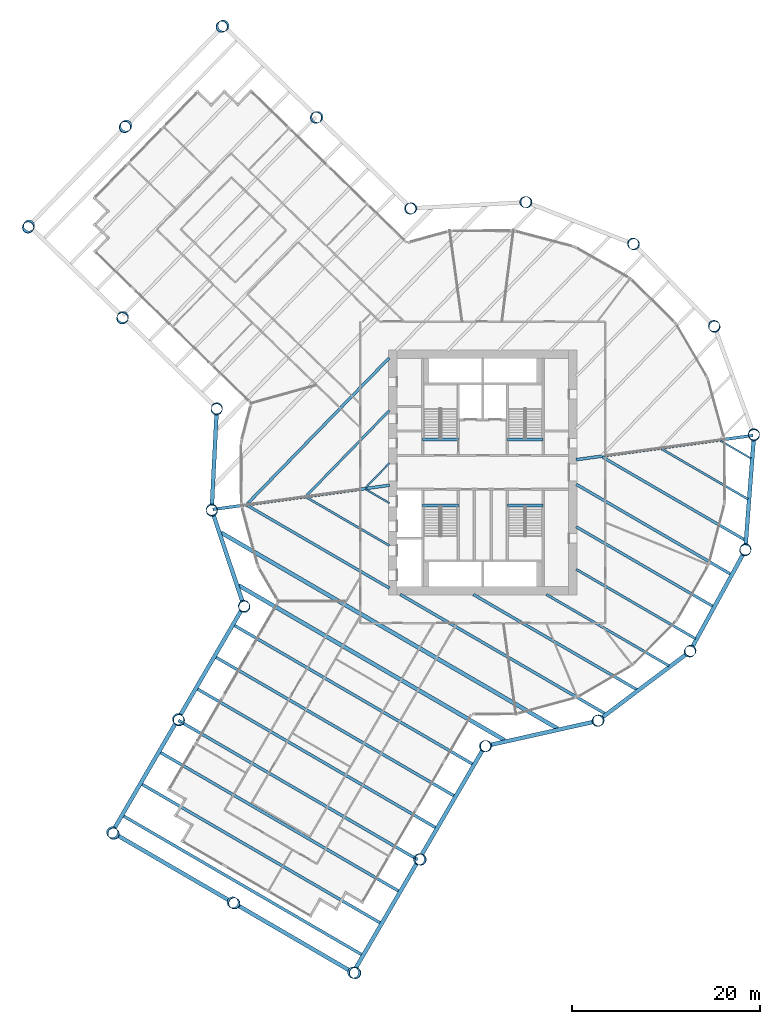
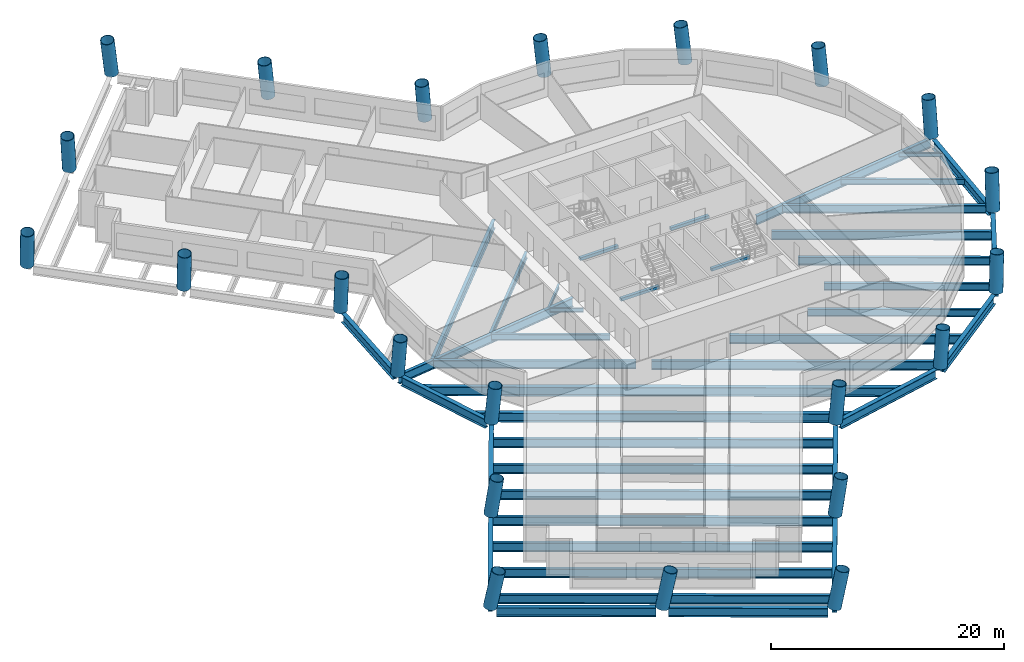
# One storey, part 1 of 12: 42 beams, 22 columns.
"""IFC4 building model written with IfcOpenShell, lengths in metres."""

from ifc_helpers import new_model, si_unit, direction, frame, origin, origin_2d, place, context, subcontext, project, spatial, rectangle, hollow_circle, i_section, extrude, material, material_profile, profile_set, type_object, element, save


model = new_model("IFC4")

# Units and contexts
model_context = context("Model", 3, precision=1e-05, world=origin(), true_north=direction((0.0, 1.0)))
body_context = subcontext(model_context, "Body", "Model", "MODEL_VIEW")
ifc_project = project(units=[si_unit("LENGTHUNIT", "METRE"), si_unit("AREAUNIT", "SQUARE_METRE"), si_unit("VOLUMEUNIT", "CUBIC_METRE"), si_unit("PLANEANGLEUNIT", "RADIAN"), si_unit("MASSUNIT", "GRAM", prefix="KILO")], contexts=[model_context])

# Site, building, storey
site_placement = place(None, origin())
site = spatial("IfcSite", under=ifc_project, at=site_placement, CompositionType="ELEMENT")
building_placement = place(site_placement, origin())
building = spatial("IfcBuilding", under=site, at=building_placement, Name="Tarsis Ring Headquarters", CompositionType="ELEMENT")
storey_placement = place(building_placement, frame((0.0, 0.0, 82.89990234375)))
storey = spatial("IfcBuildingStorey", under=building, at=storey_placement, Name="L18", CompositionType="ELEMENT", Elevation=82.89990234375)

# Columns
ifc_material_1 = material(Name="Structural steel S460", Category="steel")
ifc_material_profile_1 = material_profile(ifc_material_1, hollow_circle(Radius=0.609619140625, WallThickness=0.050048828125, at=origin_2d()), Name="CHS 1219x50")
ifc_profile_set_1 = profile_set([ifc_material_profile_1], Name="Structural steel S460")
column_type = type_object("IfcColumnType", Name="XC Exo column CHS 1219x50", PredefinedType="COLUMN", material=ifc_profile_set_1)
for number, where, z_axis, x_axis, name in (
    (1, (-28.779541015625, -3.943359375, 0.01025390625), (0.014356111525, -0.099865876242, 0.994897335821), (0.98982483966, 0.142291204195, 0.0), "Exo column XC1 F1"),
    (2, (-25.364013671875, -14.1591796875, 0.01025390625), (0.04977617817, -0.087766561004, 0.994896659385), (0.869844460775, 0.493326072754, 0.0), "Exo column XC1 AK"),
):
    element("IfcColumn", number, at=place(storey_placement, frame(where, z_axis=z_axis, x_axis=x_axis)), inside=storey, type_object=column_type, Name=name, PredefinedType="COLUMN", context=body_context, shape_type="SweptSolid", body=[
        extrude(hollow_circle(Radius=0.609619140625, WallThickness=0.050048828125, at=origin_2d()), origin(), (0.0, 0.0, 1.0), 3.894287109375),
    ])
column_1_placement = place(storey_placement, frame((-32.356201171875, -26.17529296875, 0.014404296875), z_axis=(0.091158365795, -0.111165688878, 0.989612217973), x_axis=(0.773259260858, 0.634089990062, 0.0)))
element("IfcColumn", 3, at=column_1_placement, inside=storey, type_object=column_type, Name="Exo column XC1 AI1", PredefinedType="COLUMN", context=body_context, shape_type="SweptSolid", body=[
    extrude(hollow_circle(Radius=0.609619140625, WallThickness=0.050048828125, at=origin_2d()), origin(), (0.0, 0.0, 1.0), 3.90478515625),
])
column_2_placement = place(storey_placement, frame((-39.34814453125, -38.19140625, 0.0185546875), z_axis=(0.131847539829, -0.134025295324, 0.98216772827), x_axis=(0.712874755496, 0.701291368104, 0.0)))
element("IfcColumn", 4, at=column_2_placement, inside=storey, type_object=column_type, Name="Exo column XC1 AT1", PredefinedType="COLUMN", context=body_context, shape_type="SweptSolid", body=[
    extrude(hollow_circle(Radius=0.609619140625, WallThickness=0.050048828125, at=origin_2d()), origin(), (0.0, 0.0, 1.0), 3.923828125),
])
column_3_placement = place(storey_placement, frame((-26.556640625, -45.63525390625, 0.017822265625), z_axis=(0.157243308821, -0.090111314006, 0.983440131843), x_axis=(0.497211697176, 0.867629257339, 0.0)))
element("IfcColumn", 5, at=column_3_placement, inside=storey, type_object=column_type, Name="Exo column XC1 AT2", PredefinedType="COLUMN", context=body_context, shape_type="SweptSolid", body=[
    extrude(hollow_circle(Radius=0.609619140625, WallThickness=0.050048828125, at=origin_2d()), origin(), (0.0, 0.0, 1.0), 3.92041015625),
])
column_4_placement = place(storey_placement, frame((-13.764892578125, -53.079345703125, 0.0185546875), z_axis=(0.182309363247, -0.045919559753, 0.982168361384), x_axis=(0.244248451366, 0.969712686318, 0.0)))
element("IfcColumn", 6, at=column_4_placement, inside=storey, type_object=column_type, Name="Exo column XC1 AT3", PredefinedType="COLUMN", context=body_context, shape_type="SweptSolid", body=[
    extrude(hollow_circle(Radius=0.609619140625, WallThickness=0.050048828125, at=origin_2d()), origin(), (0.0, 0.0, 1.0), 3.923828125),
])
column_5_placement = place(storey_placement, frame((-6.77294921875, -41.0634765625, 0.014404296875), z_axis=(0.141989871474, -0.022383255829, 0.989615009111), x_axis=(0.155716873144, 0.987801728799, 0.0)))
element("IfcColumn", 7, at=column_5_placement, inside=storey, type_object=column_type, Name="Exo column XC1 AO1", PredefinedType="COLUMN", context=body_context, shape_type="SweptSolid", body=[
    extrude(hollow_circle(Radius=0.609619140625, WallThickness=0.050048828125, at=origin_2d()), origin(), (0.0, 0.0, 1.0), 3.90478515625),
])
for number, where, z_axis, x_axis, name in (
    (8, (0.218994140625, -29.047607421875, 0.01025390625), (0.10086905812, 0.001441882124, 0.994898665237), (-0.014293132693, 0.999897847961, 0.0), "Exo column XC1 AJ"),
    (9, (12.1728515625, -26.375, 0.01025390625), (0.091277697686, 0.04288045688, 0.994901828485), (-0.425198201375, 0.905100264914, 0.0), "Exo column XC1 R1"),
    (10, (21.962158203125, -19.0126953125, 0.01025390625), (0.065511499002, 0.076733085912, 0.994897118814), (-0.760527083358, 0.649306210873, 0.0), "Exo column XC1 R2"),
    (11, (27.846435546875, -8.269775390625, 0.01025390625), (0.028085448919, 0.096857184329, 0.994901951653), (-0.960437452911, 0.278495779226, 0.0), "Exo column XC1 R3"),
    (12, (28.779541015625, 3.943359375, 0.01025390625), (-0.014356111525, 0.099865876242, 0.994897335821), (-0.98982483966, -0.142291204195, 0.0), "Exo column XC1 R4"),
    (13, (24.595703125, 15.45556640625, 0.01025390625), (-0.054290073076, 0.0850084747, 0.994900068949), (-0.842790242244, -0.538242145858, 0.0), "Exo column XC1 R5"),
    (14, (16.038330078125, 24.219482421875, 0.01025390625), (-0.084444531631, 0.055105228882, 0.994903279132), (-0.546495341029, -0.837462143761, 0.0), "Exo column XC1 R6"),
    (15, (4.629638671875, 28.67724609375, 0.01025390625), (-0.099740160794, 0.015421797332, 0.994893998621), (-0.152803962222, -0.988256519902, 0.0), "Exo column XC1 R7"),
    (16, (-7.6025390625, 28.035888671875, 0.01025390625), (-0.097170536417, -0.027019678191, 0.99490091157), (0.267900322214, -0.963446634411, 0.0), "Exo column XC1 BJ"),
):
    element("IfcColumn", number, at=place(storey_placement, frame(where, z_axis=z_axis, x_axis=x_axis)), inside=storey, type_object=column_type, Name=name, PredefinedType="COLUMN", context=body_context, shape_type="SweptSolid", body=[
        extrude(hollow_circle(Radius=0.609619140625, WallThickness=0.050048828125, at=origin_2d()), origin(), (0.0, 0.0, 1.0), 3.894287109375),
    ])
column_6_placement = place(storey_placement, frame((-17.570068359375, 37.7275390625, 0.014404296875), z_axis=(-0.129922234049, -0.061584889576, 0.98960977889), x_axis=(0.428329334858, -0.903622698309, 0.0)))
element("IfcColumn", 17, at=column_6_placement, inside=storey, type_object=column_type, Name="Exo column XC1 BO1", PredefinedType="COLUMN", context=body_context, shape_type="SweptSolid", body=[
    extrude(hollow_circle(Radius=0.609619140625, WallThickness=0.050048828125, at=origin_2d()), origin(), (0.0, 0.0, 1.0), 3.90478515625),
])
column_7_placement = place(storey_placement, frame((-27.537841796875, 47.418701171875, 0.0185546875), z_axis=(-0.161962173688, -0.095509772037, 0.982164007557), x_axis=(0.507959837639, -0.861380753991, 0.0)))
element("IfcColumn", 18, at=column_7_placement, inside=storey, type_object=column_type, Name="Exo column XC1 BT3", PredefinedType="COLUMN", context=body_context, shape_type="SweptSolid", body=[
    extrude(hollow_circle(Radius=0.609619140625, WallThickness=0.050048828125, at=origin_2d()), origin(), (0.0, 0.0, 1.0), 3.923828125),
])
column_8_placement = place(storey_placement, frame((-37.855224609375, 36.807861328125, 0.017822265625), z_axis=(-0.125483081703, -0.130776412693, 0.983438623448), x_axis=(0.721558955574, -0.692352997849, 0.0)))
element("IfcColumn", 19, at=column_8_placement, inside=storey, type_object=column_type, Name="Exo column XC1 BT2", PredefinedType="COLUMN", context=body_context, shape_type="SweptSolid", body=[
    extrude(hollow_circle(Radius=0.609619140625, WallThickness=0.050048828125, at=origin_2d()), origin(), (0.0, 0.0, 1.0), 3.92041015625),
])
column_9_placement = place(storey_placement, frame((-48.172607421875, 26.197021484375, 0.0185546875), z_axis=(-0.088666163818, -0.165759059938, 0.982172207631), x_axis=(0.88177503756, -0.471670205902, 0.0)))
element("IfcColumn", 20, at=column_9_placement, inside=storey, type_object=column_type, Name="Exo column XC1 BT1", PredefinedType="COLUMN", context=body_context, shape_type="SweptSolid", body=[
    extrude(hollow_circle(Radius=0.609619140625, WallThickness=0.050048828125, at=origin_2d()), origin(), (0.0, 0.0, 1.0), 3.923828125),
])
column_10_placement = place(storey_placement, frame((-38.205078125, 16.505859375, 0.014404296875), z_axis=(-0.056145900254, -0.132299248259, 0.989618384426), x_axis=(0.92053437827, -0.390661565069, 0.0)))
element("IfcColumn", 21, at=column_10_placement, inside=storey, type_object=column_type, Name="Exo column XC1 BI1", PredefinedType="COLUMN", context=body_context, shape_type="SweptSolid", body=[
    extrude(hollow_circle(Radius=0.609619140625, WallThickness=0.050048828125, at=origin_2d()), origin(), (0.0, 0.0, 1.0), 3.90478515625),
])
column_11_placement = place(storey_placement, frame((-28.23779296875, 6.814697265625, 0.01025390625), z_axis=(-0.023007388728, -0.098235907728, 0.99489716378), x_axis=(0.973652966326, -0.22803486831, 0.0)))
element("IfcColumn", 22, at=column_11_placement, inside=storey, type_object=column_type, Name="Exo column XC1 BK", PredefinedType="COLUMN", context=body_context, shape_type="SweptSolid", body=[
    extrude(hollow_circle(Radius=0.609619140625, WallThickness=0.050048828125, at=origin_2d()), origin(), (0.0, 0.0, 1.0), 3.894287109375),
])

# Beams
ifc_material_2 = material(Name="Structural steel S355", Category="steel")
ifc_material_profile_2 = material_profile(ifc_material_2, i_section(OverallWidth=0.177734375, OverallDepth=0.406494140625, WebThickness=0.0078125, FlangeThickness=0.0126953125, at=origin_2d()), Name="W16x40")
ifc_profile_set_2 = profile_set([ifc_material_profile_2], Name="Structural steel S355")
beam_type_1 = type_object("IfcBeamType", Name="FB Floor beam W16x40", PredefinedType="JOIST", material=ifc_profile_set_2)
beam_1_placement = place(storey_placement, frame((25.2353515625, 3.362548828125, -0.363037109375), z_axis=(0.864268392971, -0.503030958204, 0.0), x_axis=(0.503030958204, 0.864268392971, 0.0)))
element("IfcBeam", 23, at=beam_1_placement, inside=storey, type_object=beam_type_1, Name="Floor beam FB1", PredefinedType="JOIST", context=body_context, shape_type="SweptSolid", body=[
    extrude(i_section(OverallWidth=0.177734375, OverallDepth=0.406494140625, WebThickness=0.0078125, FlangeThickness=0.0126953125, at=origin_2d()), origin(), (0.0, 0.0, 1.0), 3.741455078125),
])
beam_2_placement = place(storey_placement, frame((-12.4208984375, -1.795654296875, -0.363037109375), z_axis=(0.864248559498, -0.503065032978, 0.0), x_axis=(0.503065032978, 0.864248559498, 0.0)))
element("IfcBeam", 24, at=beam_2_placement, inside=storey, type_object=beam_type_1, Name="Floor beam FB1", PredefinedType="JOIST", context=body_context, shape_type="SweptSolid", body=[
    extrude(i_section(OverallWidth=0.177734375, OverallDepth=0.406494140625, WebThickness=0.0078125, FlangeThickness=0.0126953125, at=origin_2d()), origin(), (0.0, 0.0, 1.0), 2.901123046875),
])
beam_3_placement = place(storey_placement, frame((-9.93017578125, 0.9765625, -0.363037109375), z_axis=(-0.697195274557, -0.716881265717, 0.0), x_axis=(0.716881265717, -0.697195274557, 0.0)))
element("IfcBeam", 25, at=beam_3_placement, inside=storey, type_object=beam_type_1, Name="Floor beam FB1", PredefinedType="JOIST", context=body_context, shape_type="SweptSolid", body=[
    extrude(i_section(OverallWidth=0.177734375, OverallDepth=0.406494140625, WebThickness=0.0078125, FlangeThickness=0.0126953125, at=origin_2d()), origin(), (0.0, 0.0, 1.0), 3.60888671875),
])
ifc_material_profile_3 = material_profile(ifc_material_2, i_section(OverallWidth=0.228271484375, OverallDepth=0.607177734375, WebThickness=0.01123046875, FlangeThickness=0.017333984375, at=origin_2d()), Name="W24x76")
ifc_profile_set_3 = profile_set([ifc_material_profile_3], Name="Structural steel S355")
beam_type_2 = type_object("IfcBeamType", Name="FB Floor beam W24x76", PredefinedType="JOIST", material=ifc_profile_set_3)
beam_4_placement = place(storey_placement, frame((18.959228515625, 2.5029296875, -0.46337890625), z_axis=(0.864272029594, -0.50302470999, 0.0), x_axis=(0.50302470999, 0.864272029594, 0.0)))
element("IfcBeam", 26, at=beam_4_placement, inside=storey, type_object=beam_type_2, Name="Floor beam FB4", PredefinedType="JOIST", context=body_context, shape_type="SweptSolid", body=[
    extrude(i_section(OverallWidth=0.228271484375, OverallDepth=0.607177734375, WebThickness=0.01123046875, FlangeThickness=0.017333984375, at=origin_2d()), origin(), (0.0, 0.0, 1.0), 10.621337890625),
])
beam_5_placement = place(storey_placement, frame((-18.697021484375, -2.655517578125, -0.46337890625), z_axis=(0.864275992736, -0.503017900656, 0.0), x_axis=(0.503017900656, 0.864275992736, 0.0)))
element("IfcBeam", 27, at=beam_5_placement, inside=storey, type_object=beam_type_2, Name="Floor beam FB4", PredefinedType="JOIST", context=body_context, shape_type="SweptSolid", body=[
    extrude(i_section(OverallWidth=0.228271484375, OverallDepth=0.607177734375, WebThickness=0.01123046875, FlangeThickness=0.017333984375, at=origin_2d()), origin(), (0.0, 0.0, 1.0), 10.162841796875),
])
ifc_material_profile_4 = material_profile(ifc_material_2, i_section(OverallWidth=0.2529296875, OverallDepth=0.67822265625, WebThickness=0.01171875, FlangeThickness=0.016357421875, at=origin_2d()), Name="W27x84")
ifc_profile_set_4 = profile_set([ifc_material_profile_4], Name="Structural steel S355")
beam_type_3 = type_object("IfcBeamType", Name="FB Floor beam W27x84", PredefinedType="JOIST", material=ifc_profile_set_4)
beam_6_placement = place(storey_placement, frame((-9.93017578125, 6.57080078125, -0.4990234375), z_axis=(-0.697164914931, -0.716910790399, 0.0), x_axis=(0.716910790399, -0.697164914931, 0.0)))
element("IfcBeam", 28, at=beam_6_placement, inside=storey, type_object=beam_type_3, Name="Floor beam FB5", PredefinedType="JOIST", context=body_context, shape_type="SweptSolid", body=[
    extrude(i_section(OverallWidth=0.2529296875, OverallDepth=0.67822265625, WebThickness=0.01171875, FlangeThickness=0.016357421875, at=origin_2d()), origin(), (0.0, 0.0, 1.0), 12.611328125),
])
ifc_material_profile_5 = material_profile(ifc_material_2, i_section(OverallWidth=0.2666015625, OverallDepth=0.7568359375, WebThickness=0.013916015625, FlangeThickness=0.019287109375, at=origin_2d()), Name="W30x108")
ifc_profile_set_5 = profile_set([ifc_material_profile_5], Name="Structural steel S355")
beam_type_4 = type_object("IfcBeamType", Name="FB Floor beam W30x108", PredefinedType="JOIST", material=ifc_profile_set_5)
beam_7_placement = place(storey_placement, frame((9.91357421875, -10.2822265625, -0.538330078125), z_axis=(0.864271564187, -0.503025509629, 0.0), x_axis=(0.503025509629, 0.864271564187, 0.0)))
element("IfcBeam", 29, at=beam_7_placement, inside=storey, type_object=beam_type_4, Name="Floor beam FB6", PredefinedType="JOIST", context=body_context, shape_type="SweptSolid", body=[
    extrude(i_section(OverallWidth=0.2666015625, OverallDepth=0.7568359375, WebThickness=0.013916015625, FlangeThickness=0.019287109375, at=origin_2d()), origin(), (0.0, 0.0, 1.0), 14.654052734375),
])
beam_8_placement = place(storey_placement, frame((6.743408203125, -12.94970703125, -0.538330078125), z_axis=(0.864274891633, -0.503019792546, 0.0), x_axis=(0.503019792546, 0.864274891633, 0.0)))
element("IfcBeam", 30, at=beam_8_placement, inside=storey, type_object=beam_type_4, Name="Floor beam FB6", PredefinedType="JOIST", context=body_context, shape_type="SweptSolid", body=[
    extrude(i_section(OverallWidth=0.2666015625, OverallDepth=0.7568359375, WebThickness=0.013916015625, FlangeThickness=0.019287109375, at=origin_2d()), origin(), (0.0, 0.0, 1.0), 15.05517578125),
])
ifc_material_profile_6 = material_profile(ifc_material_2, i_section(OverallWidth=0.2919921875, OverallDepth=0.835693359375, WebThickness=0.013916015625, FlangeThickness=0.018798828125, at=origin_2d()), Name="W33x118")
ifc_profile_set_6 = profile_set([ifc_material_profile_6], Name="Structural steel S355")
beam_type_5 = type_object("IfcBeamType", Name="FB Floor beam W33x118", PredefinedType="JOIST", material=ifc_profile_set_6)
beam_9_placement = place(storey_placement, frame((12.68310546875, 1.64306640625, -0.57763671875), z_axis=(0.864275342035, -0.503019018677, 0.0), x_axis=(0.503019018677, 0.864275342035, 0.0)))
element("IfcBeam", 31, at=beam_9_placement, inside=storey, type_object=beam_type_5, Name="Floor beam FB7", PredefinedType="JOIST", context=body_context, shape_type="SweptSolid", body=[
    extrude(i_section(OverallWidth=0.2919921875, OverallDepth=0.835693359375, WebThickness=0.013916015625, FlangeThickness=0.018798828125, at=origin_2d()), origin(), (0.0, 0.0, 1.0), 17.500732421875),
])
beam_10_placement = place(storey_placement, frame((9.91357421875, -5.769775390625, -0.57763671875), z_axis=(0.864272743091, -0.503023484094, 0.0), x_axis=(0.503023484094, 0.864272743091, 0.0)))
element("IfcBeam", 32, at=beam_10_placement, inside=storey, type_object=beam_type_5, Name="Floor beam FB7", PredefinedType="JOIST", context=body_context, shape_type="SweptSolid", body=[
    extrude(i_section(OverallWidth=0.2919921875, OverallDepth=0.835693359375, WebThickness=0.013916015625, FlangeThickness=0.018798828125, at=origin_2d()), origin(), (0.0, 0.0, 1.0), 16.822509765625),
])
beam_11_placement = place(storey_placement, frame((-24.97314453125, -3.51513671875, -0.57763671875), z_axis=(0.864274468746, -0.503020519137, 0.0), x_axis=(0.503020519137, 0.864274468746, 0.0)))
element("IfcBeam", 33, at=beam_11_placement, inside=storey, type_object=beam_type_5, Name="Floor beam FB7", PredefinedType="JOIST", context=body_context, shape_type="SweptSolid", body=[
    extrude(i_section(OverallWidth=0.2919921875, OverallDepth=0.835693359375, WebThickness=0.013916015625, FlangeThickness=0.018798828125, at=origin_2d()), origin(), (0.0, 0.0, 1.0), 17.424560546875),
])
ifc_material_profile_7 = material_profile(ifc_material_2, i_section(OverallWidth=0.3046875, OverallDepth=0.904296875, WebThickness=0.01513671875, FlangeThickness=0.02001953125, at=origin_2d()), Name="W36x135")
ifc_profile_set_7 = profile_set([ifc_material_profile_7], Name="Structural steel S355")
beam_type_6 = type_object("IfcBeamType", Name="FB Floor beam W36x135", PredefinedType="JOIST", material=ifc_profile_set_7)
beam_12_placement = place(storey_placement, frame((9.91357421875, -1.25732421875, -0.612060546875), z_axis=(0.864273652755, -0.503021921146, 0.0), x_axis=(0.503021921146, 0.864273652755, 0.0)))
element("IfcBeam", 34, at=beam_12_placement, inside=storey, type_object=beam_type_6, Name="Floor beam FB8", PredefinedType="JOIST", context=body_context, shape_type="SweptSolid", body=[
    extrude(i_section(OverallWidth=0.3046875, OverallDepth=0.904296875, WebThickness=0.01513671875, FlangeThickness=0.02001953125, at=origin_2d()), origin(), (0.0, 0.0, 1.0), 18.9912109375),
])
beam_13_placement = place(storey_placement, frame((-1.009765625, -12.94970703125, -0.612060546875), z_axis=(0.864275992149, -0.503017901664, 0.0), x_axis=(0.503017901664, 0.864275992149, 0.0)))
element("IfcBeam", 35, at=beam_13_placement, inside=storey, type_object=beam_type_6, Name="Floor beam FB8", PredefinedType="JOIST", context=body_context, shape_type="SweptSolid", body=[
    extrude(i_section(OverallWidth=0.3046875, OverallDepth=0.904296875, WebThickness=0.01513671875, FlangeThickness=0.02001953125, at=origin_2d()), origin(), (0.0, 0.0, 1.0), 20.112060546875),
])
ifc_material_profile_8 = material_profile(ifc_material_2, i_section(OverallWidth=0.3046875, OverallDepth=0.91943359375, WebThickness=0.017333984375, FlangeThickness=0.02783203125, at=origin_2d()), Name="W36x170")
ifc_profile_set_8 = profile_set([ifc_material_profile_8], Name="Structural steel S355")
beam_type_7 = type_object("IfcBeamType", Name="FB Floor beam W36x170", PredefinedType="JOIST", material=ifc_profile_set_8)
beam_14_placement = place(storey_placement, frame((-9.93017578125, 12.164794921875, -0.61962890625), z_axis=(-0.697171136832, -0.716904739814, 0.0), x_axis=(0.716904739814, -0.697171136832, 0.0)))
element("IfcBeam", 36, at=beam_14_placement, inside=storey, type_object=beam_type_7, Name="Floor beam FB9", PredefinedType="JOIST", context=body_context, shape_type="SweptSolid", body=[
    extrude(i_section(OverallWidth=0.3046875, OverallDepth=0.91943359375, WebThickness=0.017333984375, FlangeThickness=0.02783203125, at=origin_2d()), origin(), (0.0, 0.0, 1.0), 21.613525390625),
])
ifc_material_profile_9 = material_profile(ifc_material_2, i_section(OverallWidth=0.309814453125, OverallDepth=0.93212890625, WebThickness=0.02099609375, FlangeThickness=0.034423828125, at=origin_2d()), Name="W36x210")
ifc_profile_set_9 = profile_set([ifc_material_profile_9], Name="Structural steel S355")
beam_type_8 = type_object("IfcBeamType", Name="FB Floor beam W36x210", PredefinedType="JOIST", material=ifc_profile_set_9)
beam_15_placement = place(storey_placement, frame((-8.762939453125, -12.94970703125, -0.6259765625), z_axis=(0.864276650433, -0.503016770612, 0.0), x_axis=(0.503016770612, 0.864276650433, 0.0)))
element("IfcBeam", 37, at=beam_15_placement, inside=storey, type_object=beam_type_8, Name="Floor beam FB10", PredefinedType="JOIST", context=body_context, shape_type="SweptSolid", body=[
    extrude(i_section(OverallWidth=0.309814453125, OverallDepth=0.93212890625, WebThickness=0.02099609375, FlangeThickness=0.034423828125, at=origin_2d()), origin(), (0.0, 0.0, 1.0), 25.1689453125),
])
ifc_material_profile_10 = material_profile(ifc_material_2, i_section(OverallWidth=0.309814453125, OverallDepth=0.949951171875, WebThickness=0.0244140625, FlangeThickness=0.0439453125, at=origin_2d()), Name="W36x256")
ifc_profile_set_10 = profile_set([ifc_material_profile_10], Name="Structural steel S355")
beam_type_9 = type_object("IfcBeamType", Name="FB Floor beam W36x256", PredefinedType="JOIST", material=ifc_profile_set_10)
beam_16_placement = place(storey_placement, frame((-26.4267578125, -16.206298828125, -0.635009765625), z_axis=(0.864274040676, -0.503021254634, 0.0), x_axis=(0.503021254634, 0.864274040676, 0.0)))
element("IfcBeam", 38, at=beam_16_placement, inside=storey, type_object=beam_type_9, Name="Floor beam FB11", PredefinedType="JOIST", context=body_context, shape_type="SweptSolid", body=[
    extrude(i_section(OverallWidth=0.309814453125, OverallDepth=0.949951171875, WebThickness=0.0244140625, FlangeThickness=0.0439453125, at=origin_2d()), origin(), (0.0, 0.0, 1.0), 29.375732421875),
])
beam_17_placement = place(storey_placement, frame((-28.388671875, -19.5771484375, -0.635009765625), z_axis=(0.86427614358, -0.503017641478, 0.0), x_axis=(0.503017641478, 0.86427614358, 0.0)))
element("IfcBeam", 39, at=beam_17_placement, inside=storey, type_object=beam_type_9, Name="Floor beam FB11", PredefinedType="JOIST", context=body_context, shape_type="SweptSolid", body=[
    extrude(i_section(OverallWidth=0.309814453125, OverallDepth=0.949951171875, WebThickness=0.0244140625, FlangeThickness=0.0439453125, at=origin_2d()), origin(), (0.0, 0.0, 1.0), 29.3759765625),
])
beam_18_placement = place(storey_placement, frame((-30.350341796875, -22.94775390625, -0.635009765625), z_axis=(0.864274040676, -0.503021254634, 0.0), x_axis=(0.503021254634, 0.864274040676, 0.0)))
element("IfcBeam", 40, at=beam_18_placement, inside=storey, type_object=beam_type_9, Name="Floor beam FB11", PredefinedType="JOIST", context=body_context, shape_type="SweptSolid", body=[
    extrude(i_section(OverallWidth=0.309814453125, OverallDepth=0.949951171875, WebThickness=0.0244140625, FlangeThickness=0.0439453125, at=origin_2d()), origin(), (0.0, 0.0, 1.0), 29.375732421875),
])
beam_19_placement = place(storey_placement, frame((-32.312255859375, -26.318359375, -0.635009765625), z_axis=(0.86427614358, -0.503017641478, 0.0), x_axis=(0.503017641478, 0.86427614358, 0.0)))
element("IfcBeam", 41, at=beam_19_placement, inside=storey, type_object=beam_type_9, Name="Floor beam FB11", PredefinedType="JOIST", context=body_context, shape_type="SweptSolid", body=[
    extrude(i_section(OverallWidth=0.309814453125, OverallDepth=0.949951171875, WebThickness=0.0244140625, FlangeThickness=0.0439453125, at=origin_2d()), origin(), (0.0, 0.0, 1.0), 29.3759765625),
])
for number, where, z_axis, x_axis, name in (
    (42, (-34.27392578125, -29.68896484375, -0.635009765625), (0.864274040676, -0.503021254634, 0.0), (0.503021254634, 0.864274040676, 0.0), "Floor beam FB11"),
    (43, (-36.235595703125, -33.059814453125, -0.635009765625), (0.864274040676, -0.503021254634, 0.0), (0.503021254634, 0.864274040676, 0.0), "Floor beam FB11"),
    (44, (-38.197509765625, -36.430419921875, -0.635009765625), (0.864274040676, -0.503021254634, 0.0), (0.503021254634, 0.864274040676, 0.0), "Floor beam FB11"),
):
    element("IfcBeam", number, at=place(storey_placement, frame(where, z_axis=z_axis, x_axis=x_axis)), inside=storey, type_object=beam_type_9, Name=name, PredefinedType="JOIST", context=body_context, shape_type="SweptSolid", body=[
        extrude(i_section(OverallWidth=0.309814453125, OverallDepth=0.949951171875, WebThickness=0.0244140625, FlangeThickness=0.0439453125, at=origin_2d()), origin(), (0.0, 0.0, 1.0), 29.375732421875),
    ])
beam_type_10 = type_object("IfcBeamType", Name="FB Floor beam W36x256 spine", PredefinedType="BEAM", material=ifc_profile_set_10)
beam_20_placement = place(storey_placement, frame((-9.90087890625, -1.356201171875, -0.635009765625), z_axis=(-0.990748250193, -0.135712581358, 0.0), x_axis=(0.135712581358, -0.990748250193, 0.0)))
element("IfcBeam", 45, at=beam_20_placement, inside=storey, type_object=beam_type_10, Name="Floor beam SB11", PredefinedType="BEAM", context=body_context, shape_type="SweptSolid", body=[
    extrude(i_section(OverallWidth=0.309814453125, OverallDepth=0.949951171875, WebThickness=0.0244140625, FlangeThickness=0.0439453125, at=origin_2d()), origin(), (0.0, 0.0, 1.0), 18.939453125),
])
beam_21_placement = place(storey_placement, frame((28.663818359375, 3.926513671875, -0.635009765625), z_axis=(-0.990747062987, -0.135721248086, 0.0), x_axis=(0.135721248086, -0.990747062987, 0.0)))
element("IfcBeam", 46, at=beam_21_placement, inside=storey, type_object=beam_type_10, Name="Floor beam SB11", PredefinedType="BEAM", context=body_context, shape_type="SweptSolid", body=[
    extrude(i_section(OverallWidth=0.309814453125, OverallDepth=0.949951171875, WebThickness=0.0244140625, FlangeThickness=0.0439453125, at=origin_2d()), origin(), (0.0, 0.0, 1.0), 18.938232421875),
])
ifc_material_profile_11 = material_profile(ifc_material_2, i_section(OverallWidth=0.42431640625, OverallDepth=0.947509765625, WebThickness=0.02392578125, FlangeThickness=0.042724609375, at=origin_2d()), Name="W36x302")
ifc_profile_set_11 = profile_set([ifc_material_profile_11], Name="Structural steel S355")
beam_type_11 = type_object("IfcBeamType", Name="FB Floor beam W36x302", PredefinedType="JOIST", material=ifc_profile_set_11)
beam_22_placement = place(storey_placement, frame((-27.8125, -6.375, -0.633544921875), z_axis=(0.864274187505, -0.503021002357, 0.0), x_axis=(0.503021002357, 0.864274187505, 0.0)))
element("IfcBeam", 47, at=beam_22_placement, inside=storey, type_object=beam_type_11, Name="Floor beam FB12", PredefinedType="JOIST", context=body_context, shape_type="SweptSolid", body=[
    extrude(i_section(OverallWidth=0.42431640625, OverallDepth=0.947509765625, WebThickness=0.02392578125, FlangeThickness=0.042724609375, at=origin_2d()), origin(), (0.0, 0.0, 1.0), 41.353271484375),
])
beam_23_placement = place(storey_placement, frame((-25.939453125, -11.9775390625, -0.633544921875), z_axis=(0.864274227831, -0.503020933071, 0.0), x_axis=(0.503020933071, 0.864274227831, 0.0)))
element("IfcBeam", 48, at=beam_23_placement, inside=storey, type_object=beam_type_11, Name="Floor beam FB12", PredefinedType="JOIST", context=body_context, shape_type="SweptSolid", body=[
    extrude(i_section(OverallWidth=0.42431640625, OverallDepth=0.947509765625, WebThickness=0.02392578125, FlangeThickness=0.042724609375, at=origin_2d()), origin(), (0.0, 0.0, 1.0), 32.704833984375),
])
ifc_material_3 = material(Name="Concrete C40/50", Category="concrete")
ifc_material_profile_12 = material_profile(ifc_material_3, rectangle(XDim=0.300048828125, YDim=0.300048828125, at=origin_2d()), Name="Stair head beam 300x300 C40/50")
ifc_profile_set_12 = profile_set([ifc_material_profile_12], Name="Concrete C40/50")
beam_type_12 = type_object("IfcBeamType", Name="Stair head beam 300x300 C40/50", PredefinedType="BEAM", material=ifc_profile_set_12)
for number, where, z_axis, x_axis, name in (
    (49, (-6.39990234375, 3.510009765625, -0.309814453125), (1.0, 0.0, 0.0), (0.0, 1.0, 0.0), "Stair head beam L18 Firefighting stair"),
    (50, (2.60009765625, 3.510009765625, -0.309814453125), (1.0, 0.0, 0.0), (0.0, 1.0, 0.0), "Stair head beam L18 Exit stair B"),
    (51, (-6.39990234375, -3.510009765625, -0.309814453125), (1.0, 0.0, 0.0), (0.0, 1.0, 0.0), "Stair head beam L18 Exit stair C"),
    (52, (2.60009765625, -3.510009765625, -0.309814453125), (1.0, 0.0, 0.0), (0.0, 1.0, 0.0), "Stair head beam L18 Exit stair D"),
):
    element("IfcBeam", number, at=place(storey_placement, frame(where, z_axis=z_axis, x_axis=x_axis)), inside=storey, type_object=beam_type_12, Name=name, PredefinedType="BEAM", context=body_context, shape_type="SweptSolid", body=[
        extrude(rectangle(XDim=0.300048828125, YDim=0.300048828125, at=origin_2d()), origin(), (0.0, 0.0, 1.0), 3.7998046875),
    ])
beam_type_13 = type_object("IfcBeamType", Name="XG Ring girder W36x302", PredefinedType="BEAM", material=ifc_profile_set_11)
beam_24_placement = place(storey_placement, frame((-28.605712890625, -4.462646484375, -0.4736328125), z_axis=(0.317037720846, -0.948412928824, 0.0), x_axis=(0.948412928824, 0.317037720846, 0.0)))
element("IfcBeam", 53, at=beam_24_placement, inside=storey, type_object=beam_type_13, Name="Ring girder XG1", PredefinedType="BEAM", context=body_context, shape_type="SweptSolid", body=[
    extrude(i_section(OverallWidth=0.42431640625, OverallDepth=0.947509765625, WebThickness=0.02392578125, FlangeThickness=0.042724609375, at=origin_2d()), origin(), (0.0, 0.0, 1.0), 9.67431640625),
])
for number, where, z_axis, x_axis, name in (
    (54, (-25.640380859375, -14.632568359375, -0.4736328125), (-0.50302436152, -0.864272232411, 0.0), (0.864272232411, -0.50302436152, 0.0), "Ring girder XG1"),
    (55, (-32.633544921875, -26.64794921875, -0.4736328125), (-0.50302436152, -0.864272232411, 0.0), (0.864272232411, -0.50302436152, 0.0), "Ring girder XG1"),
):
    element("IfcBeam", number, at=place(storey_placement, frame(where, z_axis=z_axis, x_axis=x_axis)), inside=storey, type_object=beam_type_13, Name=name, PredefinedType="BEAM", context=body_context, shape_type="SweptSolid", body=[
        extrude(i_section(OverallWidth=0.42431640625, OverallDepth=0.947509765625, WebThickness=0.02392578125, FlangeThickness=0.042724609375, at=origin_2d()), origin(), (0.0, 0.0, 1.0), 12.804931640625),
    ])
for number, where, z_axis, x_axis, name in (
    (56, (-38.87646484375, -38.465087890625, -0.4736328125), (0.864277359478, -0.503015552338, 0.0), (0.503015552338, 0.864277359478, 0.0), "Ring girder XG1"),
    (57, (-26.085205078125, -45.90966796875, -0.4736328125), (0.864269613502, -0.503028861177, 0.0), (0.503028861177, 0.864269613502, 0.0), "Ring girder XG1"),
):
    element("IfcBeam", number, at=place(storey_placement, frame(where, z_axis=z_axis, x_axis=x_axis)), inside=storey, type_object=beam_type_13, Name=name, PredefinedType="BEAM", context=body_context, shape_type="SweptSolid", body=[
        extrude(i_section(OverallWidth=0.42431640625, OverallDepth=0.947509765625, WebThickness=0.02392578125, FlangeThickness=0.042724609375, at=origin_2d()), origin(), (0.0, 0.0, 1.0), 13.70263671875),
    ])
beam_25_placement = place(storey_placement, frame((-13.4921875, -52.604248046875, -0.4736328125), z_axis=(0.50301607259, 0.864277056687, 0.0), x_axis=(-0.864277056687, 0.50301607259, 0.0)))
element("IfcBeam", 58, at=beam_25_placement, inside=storey, type_object=beam_type_13, Name="Ring girder XG1", PredefinedType="BEAM", context=body_context, shape_type="SweptSolid", body=[
    extrude(i_section(OverallWidth=0.42431640625, OverallDepth=0.947509765625, WebThickness=0.02392578125, FlangeThickness=0.042724609375, at=origin_2d()), origin(), (0.0, 0.0, 1.0), 12.80517578125),
])
beam_26_placement = place(storey_placement, frame((-6.4990234375, -40.5888671875, -0.4736328125), z_axis=(0.50302436152, 0.864272232411, 0.0), x_axis=(-0.864272232411, 0.50302436152, 0.0)))
element("IfcBeam", 59, at=beam_26_placement, inside=storey, type_object=beam_type_13, Name="Ring girder XG1", PredefinedType="BEAM", context=body_context, shape_type="SweptSolid", body=[
    extrude(i_section(OverallWidth=0.42431640625, OverallDepth=0.947509765625, WebThickness=0.02392578125, FlangeThickness=0.042724609375, at=origin_2d()), origin(), (0.0, 0.0, 1.0), 12.804931640625),
])
for number, where, z_axis, x_axis, name in (
    (60, (0.75341796875, -28.927978515625, -0.4736328125), (0.97591275367, 0.218161172585, 0.0), (-0.218161172585, 0.97591275367, 0.0), "Ring girder XG1"),
    (61, (12.6103515625, -26.045654296875, -0.4736328125), (0.799226951036, 0.601029350978, 0.0), (-0.601029350978, 0.799226951036, 0.0), "Ring girder XG1"),
    (62, (22.22509765625, -18.5322265625, -0.4736328125), (0.480422089249, 0.877037408645, 0.0), (-0.877037408645, 0.480422089249, 0.0), "Ring girder XG1"),
    (63, (27.887939453125, -7.723876953125, -0.4736328125), (0.076231073259, 0.997090178203, 0.0), (-0.997090178203, 0.076231073259, 0.0), "Ring girder XG1"),
):
    element("IfcBeam", number, at=place(storey_placement, frame(where, z_axis=z_axis, x_axis=x_axis)), inside=storey, type_object=beam_type_13, Name=name, PredefinedType="BEAM", context=body_context, shape_type="SweptSolid", body=[
        extrude(i_section(OverallWidth=0.42431640625, OverallDepth=0.947509765625, WebThickness=0.02392578125, FlangeThickness=0.042724609375, at=origin_2d()), origin(), (0.0, 0.0, 1.0), 11.151611328125),
    ])
beam_27_placement = place(storey_placement, frame((-28.26513671875, 6.267822265625, -0.4736328125), z_axis=(-0.050345413177, -0.998731865604, 0.0), x_axis=(0.998731865604, -0.050345413177, 0.0)))
element("IfcBeam", 64, at=beam_27_placement, inside=storey, type_object=beam_type_13, Name="Ring girder XG1", PredefinedType="BEAM", context=body_context, shape_type="SweptSolid", body=[
    extrude(i_section(OverallWidth=0.42431640625, OverallDepth=0.947509765625, WebThickness=0.02392578125, FlangeThickness=0.042724609375, at=origin_2d()), origin(), (0.0, 0.0, 1.0), 9.67431640625),
])

save(model, "model.ifc")
